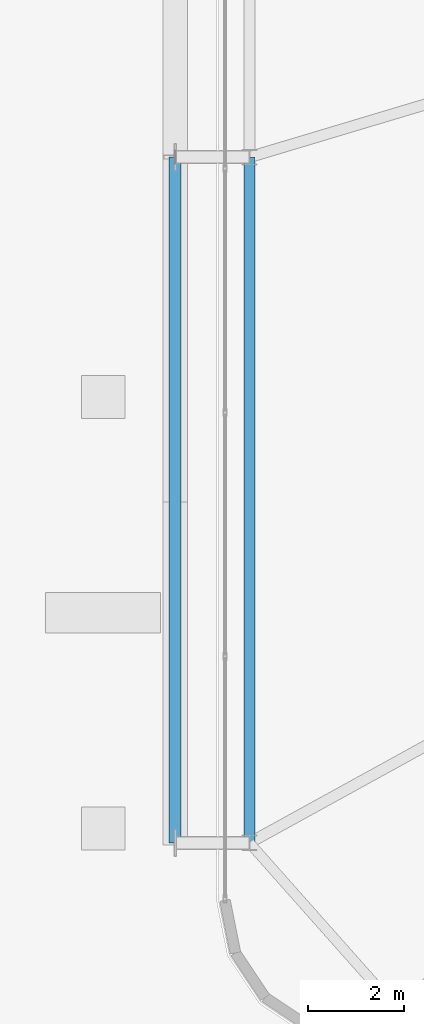
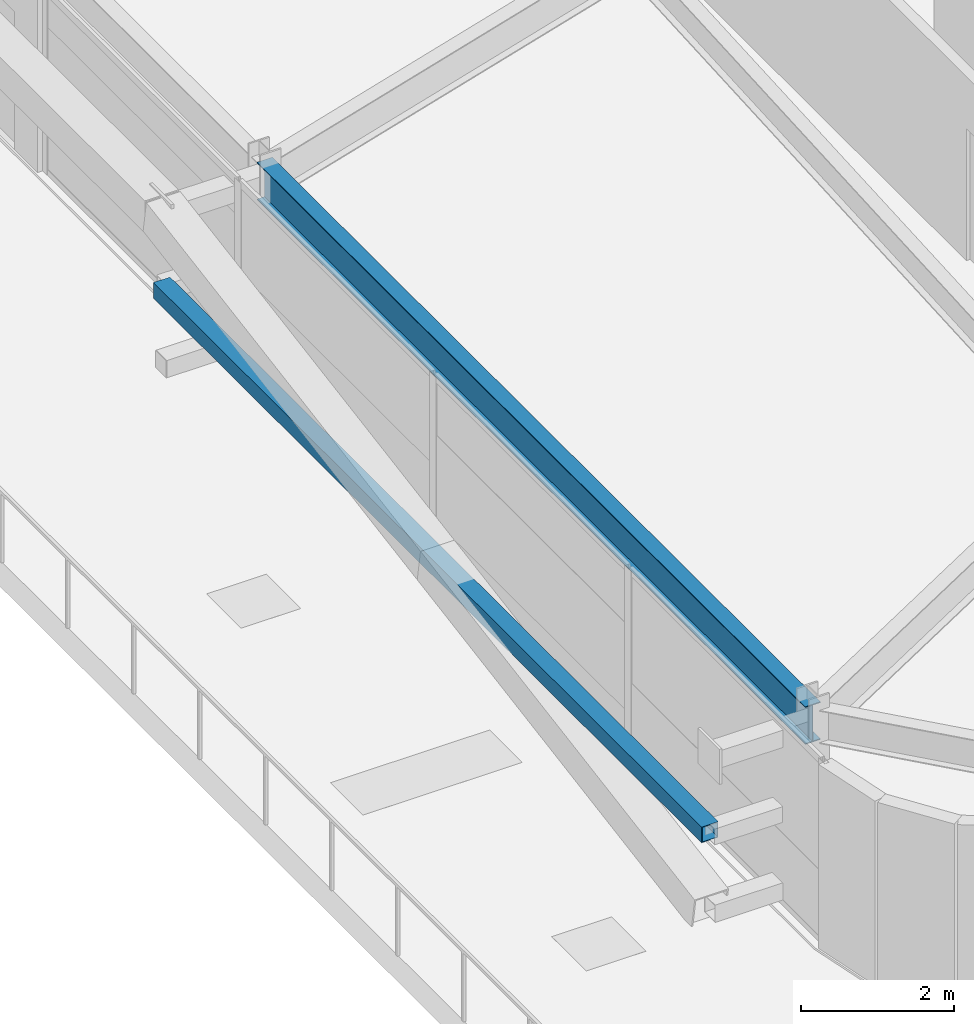
# One storey, part 8 of 56: 1 beam, 1 member.
"""IFC4 building model written with IfcOpenShell, lengths in metres."""

from ifc_helpers import new_model, si_unit, direction, frame, origin, origin_2d, place, context, subcontext, project, spatial, hollow_rectangle, i_section, extrude, source, transform, mapped, material, material_profile, profile_set, type_object, element, save


model = new_model("IFC4")

# Units and contexts
model_context = context("Model", 3, precision=1e-05, world=origin(), true_north=direction((0.0, 1.0)))
body_context = subcontext(model_context, "Body", "Model", "MODEL_VIEW")
ifc_project = project(units=[si_unit("LENGTHUNIT", "METRE"), si_unit("AREAUNIT", "SQUARE_METRE"), si_unit("VOLUMEUNIT", "CUBIC_METRE"), si_unit("PLANEANGLEUNIT", "RADIAN"), si_unit("MASSUNIT", "GRAM", prefix="KILO")], contexts=[model_context])

# Site, building, storey
site_placement = place(None, origin())
site = spatial("IfcSite", under=ifc_project, at=site_placement, CompositionType="ELEMENT")
building_placement = place(site_placement, origin())
building = spatial("IfcBuilding", under=site, at=building_placement, Name="Taldren Reach Tower", CompositionType="ELEMENT")
storey_placement = place(building_placement, frame((0.0, 0.0, 16.800048828125)))
storey = spatial("IfcBuildingStorey", under=building, at=storey_placement, Name="L04", CompositionType="ELEMENT", Elevation=16.800048828125)

# Beam
ifc_material_1 = material(Name="Steel Gr 350 (350PLUS)", Category="steel")
ifc_material_profile_1 = material_profile(ifc_material_1, i_section(OverallWidth=0.22802734375, OverallDepth=0.60205078125, WebThickness=0.010498046875, FlangeThickness=0.014892578125, at=origin_2d()), Name="610UB101")
ifc_profile_set_1 = profile_set([ifc_material_profile_1], Name="Steel Gr 350 (350PLUS)")
beam_type = type_object("IfcBeamType", Name="BM-UB610B", PredefinedType="BEAM", material=ifc_profile_set_1)
shared_shape_1 = source(origin(), body_context, "Body", "SweptSolid", [
    extrude(i_section(OverallWidth=0.22802734375, OverallDepth=0.60205078125, WebThickness=0.010498046875, FlangeThickness=0.014892578125, at=origin_2d()), origin(), (0.0, 0.0, 1.0), 14.300048828125),
])
beam_placement = place(storey_placement, frame((5.64990234375, 20.0, 2.62890625), z_axis=(0.0, -1.0, 0.0), x_axis=(1.0, 0.0, 0.0)))
element("IfcBeam", 1, at=beam_placement, inside=storey, type_object=beam_type, Name="Perimeter gable girder B1 W2-W1 L04", PredefinedType="BEAM", context=body_context, shape_type="MappedRepresentation", body=[
    mapped(shared_shape_1, transform((0.0, 0.0, 0.0), scale=1.0)),
])

# Member
ifc_material_2 = material(Name="Steel Gr 350 (C350L0)", Category="steel")
ifc_material_profile_2 = material_profile(ifc_material_2, hollow_rectangle(XDim=0.25, YDim=0.25, WallThickness=0.010009765625, at=origin_2d()), Name="250x250x10.0SHS")
ifc_profile_set_2 = profile_set([ifc_material_profile_2], Name="Steel Gr 350 (C350L0)")
member_type = type_object("IfcMemberType", Name="MB-POST250", PredefinedType="POST", material=ifc_profile_set_2)
shared_shape_2 = source(origin(), body_context, "Body", "SweptSolid", [
    extrude(hollow_rectangle(XDim=0.25, YDim=0.25, WallThickness=0.010009765625, at=origin_2d()), origin(), (0.0, 0.0, 1.0), 14.300048828125),
])
member_placement = place(storey_placement, frame((4.10009765625, 5.699951171875, 1.43505859375), z_axis=(0.0, 1.0, 0.0), x_axis=(-1.0, 0.0, 0.0)))
element("IfcMember", 2, at=member_placement, inside=storey, type_object=member_type, Name="Exoskeleton mid-height ring chord B1-W1 L04", PredefinedType="POST", context=body_context, shape_type="MappedRepresentation", body=[
    mapped(shared_shape_2, transform((0.0, 0.0, 0.0), scale=1.0)),
])

save(model, "model.ifc")
